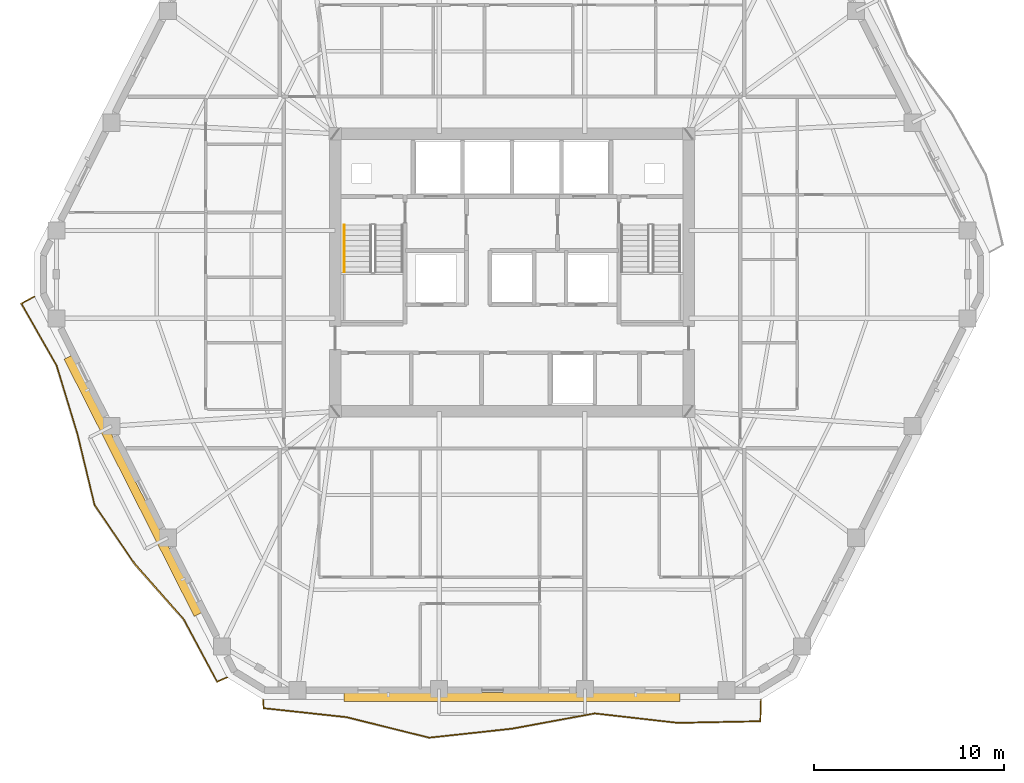
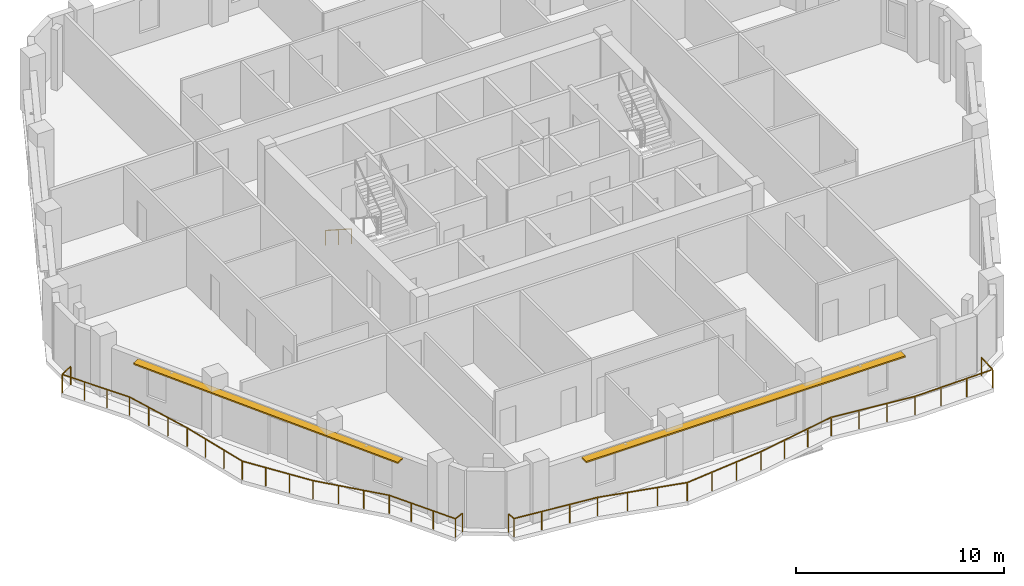
# One storey, part 10 of 12: 3 railings, 2 shading devices.
"""IFC4 building model written with IfcOpenShell, lengths in metres."""

from ifc_helpers import new_model, si_unit, direction, frame, origin, origin_2d, place, context, subcontext, project, spatial, rectangle, extrude, material, layer, layer_set, type_object, element, save


model = new_model("IFC4")

# Units and contexts
model_context = context("Model", 3, precision=1e-05, world=origin(), true_north=direction((0.0, 1.0)))
body_context = subcontext(model_context, "Body", "Model", "MODEL_VIEW")
ifc_project = project(units=[si_unit("LENGTHUNIT", "METRE"), si_unit("AREAUNIT", "SQUARE_METRE"), si_unit("VOLUMEUNIT", "CUBIC_METRE"), si_unit("PLANEANGLEUNIT", "RADIAN"), si_unit("MASSUNIT", "GRAM", prefix="KILO")], contexts=[model_context])

# Site, building, storey
site_placement = place(None, origin())
site = spatial("IfcSite", under=ifc_project, at=site_placement, CompositionType="ELEMENT")
building_placement = place(site_placement, origin())
building = spatial("IfcBuilding", under=site, at=building_placement, Name="Cinnabar Lancet Tower", CompositionType="ELEMENT")
storey_placement = place(building_placement, frame((0.0, 0.0, 153.5)))
storey = spatial("IfcBuildingStorey", under=building, at=storey_placement, Name="L40", CompositionType="ELEMENT", Elevation=153.5)

# Railings
ifc_material_1 = material(Name="Laminated safety glass and bronze stainless steel balustrade", Category="steel")
railing_type_1 = type_object("IfcRailingType", Name="ENV-RLG-BAL-1100", PredefinedType="BALUSTRADE", material=ifc_material_1)
railing_1_placement = place(storey_placement, frame((19.30810546875, 3.449951171875, 0.0)))
element("IfcRailing", 1, at=railing_1_placement, inside=storey, type_object=railing_type_1, Name="L40 Face 1 Wave Balcony Balustrade", PredefinedType="BALUSTRADE", context=body_context, shape_type="SweptSolid", body=[
    extrude(rectangle(XDim=0.048095703125, YDim=0.048095703125, at=origin_2d()), frame((0.0, 0.0, 1.076171875), z_axis=(0.076166984965, -0.997095075909, 0.0), x_axis=(0.997095075909, 0.076166984965, 0.0)), (0.0, 0.0, 1.0), 0.458251953125),
    extrude(rectangle(XDim=0.048095703125, YDim=0.048095703125, at=origin_2d()), frame((0.034912109375, -0.45703125, 1.076171875), z_axis=(0.994201088904, -0.10753694631, 0.0), x_axis=(0.10753694631, 0.994201088904, 0.0)), (0.0, 0.0, 1.0), 4.37939453125),
    extrude(rectangle(XDim=0.048095703125, YDim=0.048095703125, at=origin_2d()), frame((4.388916015625, -0.927978515625, 1.076171875), z_axis=(0.97065928973, -0.240459026156, 0.0), x_axis=(0.240459026156, 0.97065928973, 0.0)), (0.0, 0.0, 1.0), 4.482666015625),
    extrude(rectangle(XDim=0.048095703125, YDim=0.048095703125, at=origin_2d()), frame((8.739990234375, -2.005859375, 1.076171875), z_axis=(0.994171394328, 0.107811125118, 0.0), x_axis=(-0.107811125118, 0.994171394328, 0.0)), (0.0, 0.0, 1.0), 4.37744140625),
    extrude(rectangle(XDim=0.048095703125, YDim=0.048095703125, at=origin_2d()), frame((13.091796875, -1.533935546875, 1.076171875), z_axis=(0.983394151097, 0.181482626134, 0.0), x_axis=(-0.181482626134, 0.983394151097, 0.0)), (0.0, 0.0, 1.0), 4.424560546875),
    extrude(rectangle(XDim=0.048095703125, YDim=0.048095703125, at=origin_2d()), frame((17.44287109375, -0.73095703125, 1.076171875), z_axis=(0.993543444613, -0.113452296872, 0.0), x_axis=(0.113452296872, 0.993543444613, 0.0)), (0.0, 0.0, 1.0), 4.38134765625),
    extrude(rectangle(XDim=0.048095703125, YDim=0.048095703125, at=origin_2d()), frame((21.7958984375, -1.22802734375, 1.076171875), z_axis=(0.999809670124, 0.019509575261, 0.0), x_axis=(-0.019509575261, 0.999809670124, 0.0)), (0.0, 0.0, 1.0), 4.354736328125),
    extrude(rectangle(XDim=0.048095703125, YDim=0.048095703125, at=origin_2d()), frame((26.14990234375, -1.14306640625, 1.076171875), z_axis=(0.029675092705, 0.999559597459, 0.0), x_axis=(-0.999559597459, 0.029675092705, 0.0)), (0.0, 0.0, 1.0), 1.1435546875),
    extrude(rectangle(XDim=0.0419921875, YDim=0.0419921875, at=origin_2d()), origin(), (0.0, 0.0, 1.0), 1.052001953125),
    extrude(rectangle(XDim=0.0419921875, YDim=0.0419921875, at=origin_2d()), frame((0.034912109375, -0.45703125, 0.0)), (0.0, 0.0, 1.0), 1.052001953125),
    extrude(rectangle(XDim=0.0419921875, YDim=0.0419921875, at=origin_2d()), frame((1.486328125, -0.614013671875, 0.0)), (0.0, 0.0, 1.0), 1.052001953125),
    extrude(rectangle(XDim=0.0419921875, YDim=0.0419921875, at=origin_2d()), frame((2.9375, -0.77099609375, 0.0)), (0.0, 0.0, 1.0), 1.052001953125),
    extrude(rectangle(XDim=0.0419921875, YDim=0.0419921875, at=origin_2d()), frame((4.388916015625, -0.927978515625, 0.0)), (0.0, 0.0, 1.0), 1.052001953125),
    extrude(rectangle(XDim=0.0419921875, YDim=0.0419921875, at=origin_2d()), frame((5.83935546875, -1.287353515625, 0.0)), (0.0, 0.0, 1.0), 1.052001953125),
    extrude(rectangle(XDim=0.0419921875, YDim=0.0419921875, at=origin_2d()), frame((7.28955078125, -1.646484375, 0.0)), (0.0, 0.0, 1.0), 1.052001953125),
    extrude(rectangle(XDim=0.0419921875, YDim=0.0419921875, at=origin_2d()), frame((8.739990234375, -2.005859375, 0.0)), (0.0, 0.0, 1.0), 1.052001953125),
    extrude(rectangle(XDim=0.0419921875, YDim=0.0419921875, at=origin_2d()), frame((10.190673828125, -1.8486328125, 0.0)), (0.0, 0.0, 1.0), 1.052001953125),
    extrude(rectangle(XDim=0.0419921875, YDim=0.0419921875, at=origin_2d()), frame((11.64111328125, -1.691162109375, 0.0)), (0.0, 0.0, 1.0), 1.052001953125),
    extrude(rectangle(XDim=0.0419921875, YDim=0.0419921875, at=origin_2d()), frame((13.091796875, -1.533935546875, 0.0)), (0.0, 0.0, 1.0), 1.052001953125),
    extrude(rectangle(XDim=0.0419921875, YDim=0.0419921875, at=origin_2d()), frame((14.542236328125, -1.266357421875, 0.0)), (0.0, 0.0, 1.0), 1.052001953125),
    extrude(rectangle(XDim=0.0419921875, YDim=0.0419921875, at=origin_2d()), frame((15.992431640625, -0.99853515625, 0.0)), (0.0, 0.0, 1.0), 1.052001953125),
    extrude(rectangle(XDim=0.0419921875, YDim=0.0419921875, at=origin_2d()), frame((17.44287109375, -0.73095703125, 0.0)), (0.0, 0.0, 1.0), 1.052001953125),
    extrude(rectangle(XDim=0.0419921875, YDim=0.0419921875, at=origin_2d()), frame((18.893798828125, -0.896728515625, 0.0)), (0.0, 0.0, 1.0), 1.052001953125),
    extrude(rectangle(XDim=0.0419921875, YDim=0.0419921875, at=origin_2d()), frame((20.344970703125, -1.062255859375, 0.0)), (0.0, 0.0, 1.0), 1.052001953125),
    extrude(rectangle(XDim=0.0419921875, YDim=0.0419921875, at=origin_2d()), frame((21.7958984375, -1.22802734375, 0.0)), (0.0, 0.0, 1.0), 1.052001953125),
    extrude(rectangle(XDim=0.0419921875, YDim=0.0419921875, at=origin_2d()), frame((23.247314453125, -1.19970703125, 0.0)), (0.0, 0.0, 1.0), 1.052001953125),
    extrude(rectangle(XDim=0.0419921875, YDim=0.0419921875, at=origin_2d()), frame((24.698486328125, -1.17138671875, 0.0)), (0.0, 0.0, 1.0), 1.052001953125),
    extrude(rectangle(XDim=0.0419921875, YDim=0.0419921875, at=origin_2d()), frame((26.14990234375, -1.14306640625, 0.0)), (0.0, 0.0, 1.0), 1.052001953125),
    extrude(rectangle(XDim=0.0419921875, YDim=0.0419921875, at=origin_2d()), frame((26.183837890625, 0.0, 0.0)), (0.0, 0.0, 1.0), 1.052001953125),
])
railing_2_placement = place(storey_placement, frame((7.287109375, 24.639892578125, 0.0)))
element("IfcRailing", 2, at=railing_2_placement, inside=storey, type_object=railing_type_1, Name="L40 Face 6 Wave Balcony Balustrade", PredefinedType="BALUSTRADE", context=body_context, shape_type="SweptSolid", body=[
    extrude(rectangle(XDim=0.048095703125, YDim=0.048095703125, at=origin_2d()), frame((0.0, 0.0, 1.076171875), z_axis=(-0.875595888351, -0.483044346104, 0.0), x_axis=(0.483044346104, -0.875595888351, 0.0)), (0.0, 0.0, 1.0), 0.782470703125),
    extrude(rectangle(XDim=0.048095703125, YDim=0.048095703125, at=origin_2d()), frame((-0.68505859375, -0.3779296875, 1.076171875), z_axis=(0.495899689512, -0.86837981203, 0.0), x_axis=(0.86837981203, 0.495899689512, 0.0)), (0.0, 0.0, 1.0), 3.73681640625),
    extrude(rectangle(XDim=0.048095703125, YDim=0.048095703125, at=origin_2d()), frame((1.16796875, -3.622802734375, 1.076171875), z_axis=(0.290953809781, -0.956737101075, 0.0), x_axis=(0.956737101075, 0.290953809781, 0.0)), (0.0, 0.0, 1.0), 3.786865234375),
    extrude(rectangle(XDim=0.048095703125, YDim=0.048095703125, at=origin_2d()), frame((2.269775390625, -7.245849609375, 1.076171875), z_axis=(0.234584496428, -0.972095732958, 0.0), x_axis=(0.972095732958, 0.234584496428, 0.0)), (0.0, 0.0, 1.0), 3.8330078125),
    extrude(rectangle(XDim=0.048095703125, YDim=0.048095703125, at=origin_2d()), frame((3.1689453125, -10.971923828125, 1.076171875), z_axis=(0.5641860823, -0.825647663679, 0.0), x_axis=(0.825647663679, 0.5641860823, 0.0)), (0.0, 0.0, 1.0), 3.762939453125),
    extrude(rectangle(XDim=0.048095703125, YDim=0.048095703125, at=origin_2d()), frame((5.2919921875, -14.078857421875, 1.076171875), z_axis=(0.662195315752, -0.749331277737, 0.0), x_axis=(0.749331277737, 0.662195315752, 0.0)), (0.0, 0.0, 1.0), 3.855224609375),
    extrude(rectangle(XDim=0.048095703125, YDim=0.048095703125, at=origin_2d()), frame((7.844970703125, -16.9677734375, 1.076171875), z_axis=(0.473432967978, -0.880829850103, 0.0), x_axis=(0.880829850103, 0.473432967978, 0.0)), (0.0, 0.0, 1.0), 3.734130859375),
    extrude(rectangle(XDim=0.048095703125, YDim=0.048095703125, at=origin_2d()), frame((9.61279296875, -20.2568359375, 1.076171875), z_axis=(0.916728239711, 0.399511369696, 0.0), x_axis=(-0.399511369696, 0.916728239711, 0.0)), (0.0, 0.0, 1.0), 0.568359375),
    extrude(rectangle(XDim=0.0419921875, YDim=0.0419921875, at=origin_2d()), origin(), (0.0, 0.0, 1.0), 1.052001953125),
    extrude(rectangle(XDim=0.0419921875, YDim=0.0419921875, at=origin_2d()), frame((-0.68505859375, -0.3779296875, 0.0)), (0.0, 0.0, 1.0), 1.052001953125),
    extrude(rectangle(XDim=0.0419921875, YDim=0.0419921875, at=origin_2d()), frame((-0.0673828125, -1.45947265625, 0.0)), (0.0, 0.0, 1.0), 1.052001953125),
    extrude(rectangle(XDim=0.0419921875, YDim=0.0419921875, at=origin_2d()), frame((0.55029296875, -2.541259765625, 0.0)), (0.0, 0.0, 1.0), 1.052001953125),
    extrude(rectangle(XDim=0.0419921875, YDim=0.0419921875, at=origin_2d()), frame((1.16796875, -3.622802734375, 0.0)), (0.0, 0.0, 1.0), 1.052001953125),
    extrude(rectangle(XDim=0.0419921875, YDim=0.0419921875, at=origin_2d()), frame((1.53515625, -4.83056640625, 0.0)), (0.0, 0.0, 1.0), 1.052001953125),
    extrude(rectangle(XDim=0.0419921875, YDim=0.0419921875, at=origin_2d()), frame((1.902587890625, -6.0380859375, 0.0)), (0.0, 0.0, 1.0), 1.052001953125),
    extrude(rectangle(XDim=0.0419921875, YDim=0.0419921875, at=origin_2d()), frame((2.269775390625, -7.245849609375, 0.0)), (0.0, 0.0, 1.0), 1.052001953125),
    extrude(rectangle(XDim=0.0419921875, YDim=0.0419921875, at=origin_2d()), frame((2.569580078125, -8.48779296875, 0.0)), (0.0, 0.0, 1.0), 1.052001953125),
    extrude(rectangle(XDim=0.0419921875, YDim=0.0419921875, at=origin_2d()), frame((2.869140625, -9.72998046875, 0.0)), (0.0, 0.0, 1.0), 1.052001953125),
    extrude(rectangle(XDim=0.0419921875, YDim=0.0419921875, at=origin_2d()), frame((3.1689453125, -10.971923828125, 0.0)), (0.0, 0.0, 1.0), 1.052001953125),
    extrude(rectangle(XDim=0.0419921875, YDim=0.0419921875, at=origin_2d()), frame((3.876708984375, -12.007568359375, 0.0)), (0.0, 0.0, 1.0), 1.052001953125),
    extrude(rectangle(XDim=0.0419921875, YDim=0.0419921875, at=origin_2d()), frame((4.584228515625, -13.043212890625, 0.0)), (0.0, 0.0, 1.0), 1.052001953125),
    extrude(rectangle(XDim=0.0419921875, YDim=0.0419921875, at=origin_2d()), frame((5.2919921875, -14.078857421875, 0.0)), (0.0, 0.0, 1.0), 1.052001953125),
    extrude(rectangle(XDim=0.0419921875, YDim=0.0419921875, at=origin_2d()), frame((6.14306640625, -15.041748046875, 0.0)), (0.0, 0.0, 1.0), 1.052001953125),
    extrude(rectangle(XDim=0.0419921875, YDim=0.0419921875, at=origin_2d()), frame((6.993896484375, -16.0048828125, 0.0)), (0.0, 0.0, 1.0), 1.052001953125),
    extrude(rectangle(XDim=0.0419921875, YDim=0.0419921875, at=origin_2d()), frame((7.844970703125, -16.9677734375, 0.0)), (0.0, 0.0, 1.0), 1.052001953125),
    extrude(rectangle(XDim=0.0419921875, YDim=0.0419921875, at=origin_2d()), frame((8.434326171875, -18.064208984375, 0.0)), (0.0, 0.0, 1.0), 1.052001953125),
    extrude(rectangle(XDim=0.0419921875, YDim=0.0419921875, at=origin_2d()), frame((9.0234375, -19.160400390625, 0.0)), (0.0, 0.0, 1.0), 1.052001953125),
    extrude(rectangle(XDim=0.0419921875, YDim=0.0419921875, at=origin_2d()), frame((9.61279296875, -20.2568359375, 0.0)), (0.0, 0.0, 1.0), 1.052001953125),
    extrude(rectangle(XDim=0.0419921875, YDim=0.0419921875, at=origin_2d()), frame((10.1337890625, -20.02978515625, 0.0)), (0.0, 0.0, 1.0), 1.052001953125),
])

# Shading devices
ifc_material_2 = material(Name="Pale limestone architectural aluminium sunshade", Category="masonry")
ifc_layer = layer(ifc_material_2, 0.080078125)
ifc_layer_set = layer_set([ifc_layer], Name="Pale limestone architectural aluminium sunshade")
shading_device_type = type_object("IfcShadingDeviceType", Name="ENV-SHD-LVR-450", PredefinedType="JALOUSIE", material=ifc_layer_set)
shading_device_1_placement = place(storey_placement, frame((32.39990234375, 3.580078125, 2.639892578125), z_axis=(0.0, 0.0, 1.0), x_axis=(1.0, 0.0, 0.0)))
element("IfcShadingDevice", 3, at=shading_device_1_placement, inside=storey, type_object=shading_device_type, Name="L40 Face 1 Horizontal Sunshade Canopy", PredefinedType="JALOUSIE", context=body_context, shape_type="SweptSolid", body=[
    extrude(rectangle(XDim=17.68310546875, YDim=0.449951171875, at=origin_2d()), origin(), (0.0, 0.0, 1.0), 0.080078125),
])
shading_device_2_placement = place(storey_placement, frame((12.471923828125, 14.680908203125, 2.639892578125), z_axis=(0.0, 0.0, 1.0), x_axis=(0.451453853408, -0.892294468347, 0.0)))
element("IfcShadingDevice", 4, at=shading_device_2_placement, inside=storey, type_object=shading_device_type, Name="L40 Face 6 Horizontal Sunshade Canopy", PredefinedType="JALOUSIE", context=body_context, shape_type="SweptSolid", body=[
    extrude(rectangle(XDim=15.156982421875, YDim=0.449951171875, at=origin_2d()), origin(), (0.0, 0.0, 1.0), 0.080078125),
])

# Railing
ifc_material_3 = material(Name="Brushed stainless steel handrail", Category="steel")
railing_type_2 = type_object("IfcRailingType", Name="HANDRAIL-STAIR", PredefinedType="HANDRAIL", material=ifc_material_3)
railing_3_placement = place(storey_placement, frame((23.574951171875, 28.39990234375, 0.177490234375)))
element("IfcRailing", 5, at=railing_3_placement, inside=storey, type_object=railing_type_2, Name="L40 ST-1 stair handrail 1", PredefinedType="HANDRAIL", context=body_context, shape_type="SweptSolid", body=[
    extrude(rectangle(XDim=0.048095703125, YDim=0.048095703125, at=origin_2d()), frame((0.0, 0.0, 0.8759765625), z_axis=(0.0, -0.840183358697, 0.542302428327), x_axis=(1.0, 0.0, 0.0)), (0.0, 0.0, 1.0), 2.945556640625),
    extrude(rectangle(XDim=0.0419921875, YDim=0.0419921875, at=origin_2d()), origin(), (0.0, 0.0, 1.0), 0.851806640625),
    extrude(rectangle(XDim=0.0419921875, YDim=0.0419921875, at=origin_2d()), frame((0.0, -1.2373046875, 0.798828125)), (0.0, 0.0, 1.0), 0.851806640625),
    extrude(rectangle(XDim=0.0419921875, YDim=0.0419921875, at=origin_2d()), frame((0.0, -2.474853515625, 1.597412109375)), (0.0, 0.0, 1.0), 0.851806640625),
])

save(model, "model.ifc")
